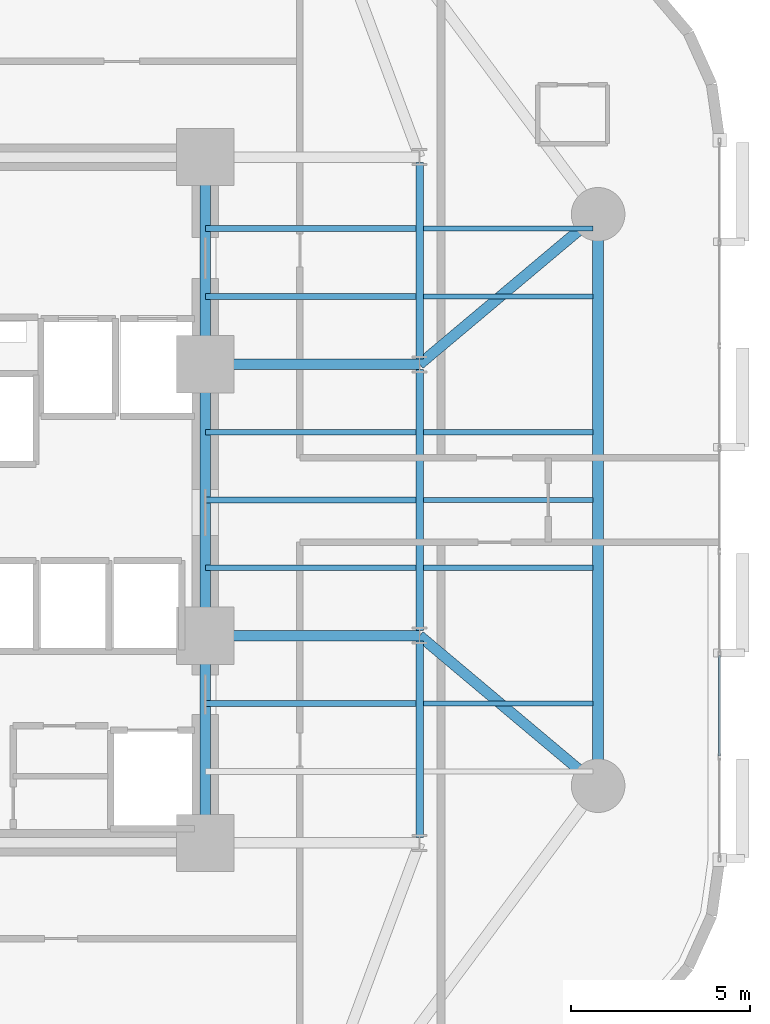
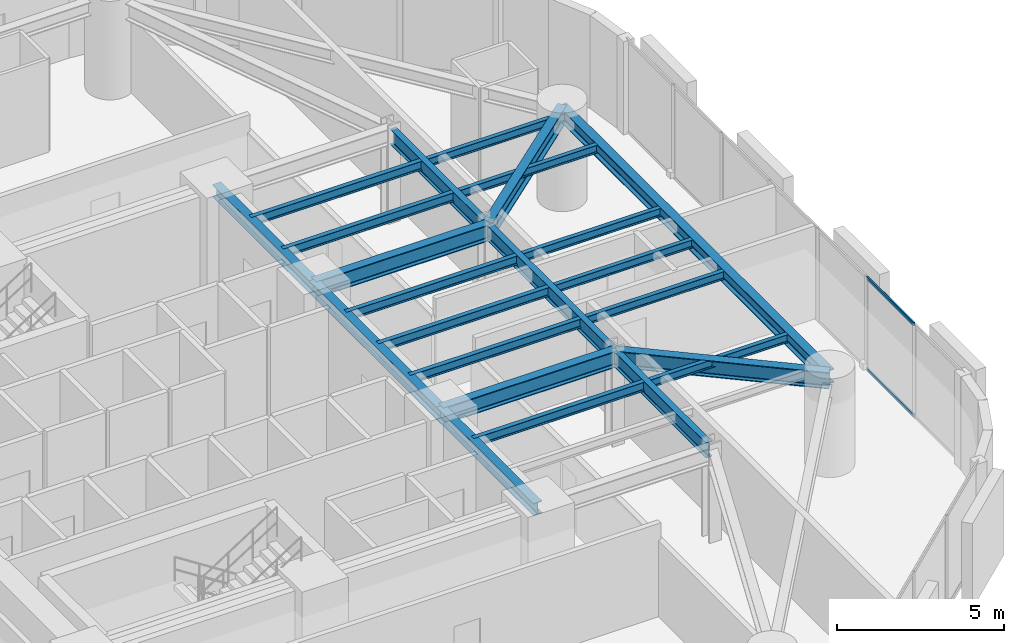
# One storey, part 5 of 17: 23 beams, 2 members, 1 element without a shape of its own.
"""IFC4 building model written with IfcOpenShell, lengths in metres."""

from ifc_helpers import new_model, si_unit, direction, frame, origin, origin_2d, place, context, subcontext, project, spatial, hollow_rectangle, i_section, extrude, material, layer, layer_set, material_profile, profile_set, type_object, element, aggregate, save


model = new_model("IFC4")

# Units and contexts
model_context = context("Model", 3, precision=1e-05, world=origin(), true_north=direction((0.0, 1.0)))
body_context = subcontext(model_context, "Body", "Model", "MODEL_VIEW")
ifc_project = project(units=[si_unit("LENGTHUNIT", "METRE"), si_unit("AREAUNIT", "SQUARE_METRE"), si_unit("VOLUMEUNIT", "CUBIC_METRE"), si_unit("PLANEANGLEUNIT", "RADIAN"), si_unit("MASSUNIT", "GRAM", prefix="KILO")], contexts=[model_context])

# Site, building, storey
site_placement = place(None, origin())
site = spatial("IfcSite", under=ifc_project, at=site_placement, CompositionType="ELEMENT")
building_placement = place(site_placement, origin())
building = spatial("IfcBuilding", under=site, at=building_placement, Name="An Khanh Terracotta Commons", CompositionType="ELEMENT")
storey_placement = place(building_placement, frame((0.0, 0.0, 32.39990234375)))
storey = spatial("IfcBuildingStorey", under=building, at=storey_placement, Name="L08", CompositionType="ELEMENT", Elevation=32.39990234375)

# Beams
ifc_material_1 = material(Name="Steel S355J2", Category="steel")
ifc_material_profile_1 = material_profile(ifc_material_1, i_section(OverallWidth=0.300048828125, OverallDepth=0.449951171875, WebThickness=0.013916015625, FlangeThickness=0.02587890625, FilletRadius=0.027099609375, at=origin_2d()), Name="HEB450")
ifc_profile_set_1 = profile_set([ifc_material_profile_1], Name="Steel S355J2")
beam_type_1 = type_object("IfcBeamType", Name="BM-HEB450", PredefinedType="BEAM", material=ifc_profile_set_1)
beam_1_placement = place(storey_placement, frame((37.199951171875, 14.39990234375, 3.175048828125), z_axis=(0.0, 1.0, 0.0), x_axis=(-1.0, 0.0, 0.0)))
element("IfcBeam", 1, at=beam_1_placement, inside=storey, type_object=beam_type_1, Name="L08 Core East Coupling Girder 1", PredefinedType="BEAM", context=body_context, shape_type="SweptSolid", body=[
    extrude(i_section(OverallWidth=0.300048828125, OverallDepth=0.449951171875, WebThickness=0.013916015625, FlangeThickness=0.02587890625, FilletRadius=0.027099609375, at=origin_2d()), origin(), (0.0, 0.0, 1.0), 5.800048828125),
])
beam_2_placement = place(storey_placement, frame((37.199951171875, 20.199951171875, 3.175048828125), z_axis=(0.0, 1.0, 0.0), x_axis=(-1.0, 0.0, 0.0)))
element("IfcBeam", 2, at=beam_2_placement, inside=storey, type_object=beam_type_1, Name="L08 Core East Coupling Girder 2", PredefinedType="BEAM", context=body_context, shape_type="SweptSolid", body=[
    extrude(i_section(OverallWidth=0.300048828125, OverallDepth=0.449951171875, WebThickness=0.013916015625, FlangeThickness=0.02587890625, FilletRadius=0.027099609375, at=origin_2d()), origin(), (0.0, 0.0, 1.0), 7.60009765625),
])
beam_3_placement = place(storey_placement, frame((37.199951171875, 27.800048828125, 3.175048828125), z_axis=(0.0, 1.0, 0.0), x_axis=(-1.0, 0.0, 0.0)))
element("IfcBeam", 3, at=beam_3_placement, inside=storey, type_object=beam_type_1, Name="L08 Core East Coupling Girder 3", PredefinedType="BEAM", context=body_context, shape_type="SweptSolid", body=[
    extrude(i_section(OverallWidth=0.300048828125, OverallDepth=0.449951171875, WebThickness=0.013916015625, FlangeThickness=0.02587890625, FilletRadius=0.027099609375, at=origin_2d()), origin(), (0.0, 0.0, 1.0), 5.800048828125),
])
ifc_material_profile_2 = material_profile(ifc_material_1, i_section(OverallWidth=0.300048828125, OverallDepth=0.5, WebThickness=0.014404296875, FlangeThickness=0.028076171875, FilletRadius=0.027099609375, at=origin_2d()), Name="HEB500")
ifc_profile_set_2 = profile_set([ifc_material_profile_2], Name="Steel S355J2")
beam_type_2 = type_object("IfcBeamType", Name="BM-HEB500", PredefinedType="BEAM", material=ifc_profile_set_2)
beam_4_placement = place(storey_placement, frame((48.199951171875, 16.0, 3.150146484375), z_axis=(0.0, 1.0, 0.0), x_axis=(-1.0, 0.0, 0.0)))
element("IfcBeam", 4, at=beam_4_placement, inside=storey, type_object=beam_type_2, Name="L08 Perimeter Ring Spandrel 3", PredefinedType="BEAM", context=body_context, shape_type="SweptSolid", body=[
    extrude(i_section(OverallWidth=0.300048828125, OverallDepth=0.5, WebThickness=0.014404296875, FlangeThickness=0.028076171875, FilletRadius=0.027099609375, at=origin_2d()), origin(), (0.0, 0.0, 1.0), 16.0),
])
ifc_material_profile_3 = material_profile(ifc_material_1, i_section(OverallWidth=0.300048828125, OverallDepth=0.60009765625, WebThickness=0.015380859375, FlangeThickness=0.030029296875, FilletRadius=0.027099609375, at=origin_2d()), Name="HEB600")
ifc_profile_set_3 = profile_set([ifc_material_profile_3], Name="Steel S355J2")
beam_type_3 = type_object("IfcBeamType", Name="BM-HEB600", PredefinedType="BEAM", material=ifc_profile_set_3)
for number, where, z_axis, x_axis, name in (
    (5, (37.199951171875, 20.199951171875, 3.10009765625), (1.0, 0.0, 0.0), (0.0, 1.0, 0.0), "L08 East Primary Floor Girder 2"),
    (6, (37.199951171875, 27.800048828125, 3.10009765625), (1.0, 0.0, 0.0), (0.0, 1.0, 0.0), "L08 East Primary Floor Girder 3"),
):
    element("IfcBeam", number, at=place(storey_placement, frame(where, z_axis=z_axis, x_axis=x_axis)), inside=storey, type_object=beam_type_3, Name=name, PredefinedType="BEAM", context=body_context, shape_type="SweptSolid", body=[
        extrude(i_section(OverallWidth=0.300048828125, OverallDepth=0.60009765625, WebThickness=0.015380859375, FlangeThickness=0.030029296875, FilletRadius=0.027099609375, at=origin_2d()), origin(), (0.0, 0.0, 1.0), 6.0),
    ])
for number, where, z_axis, x_axis, name in (
    (7, (48.199951171875, 16.0, 3.10009765625), (-0.765708547471, 0.643187702253, 0.0), (-0.643187702253, -0.765708547471, 0.0), "L08 Mega-Column Tie Girder 3"),
    (8, (48.199951171875, 32.0, 3.10009765625), (-0.765708547471, -0.643187702253, 0.0), (0.643187702253, -0.765708547471, 0.0), "L08 Mega-Column Tie Girder 4"),
):
    element("IfcBeam", number, at=place(storey_placement, frame(where, z_axis=z_axis, x_axis=x_axis)), inside=storey, type_object=beam_type_3, Name=name, PredefinedType="BEAM", context=body_context, shape_type="SweptSolid", body=[
        extrude(i_section(OverallWidth=0.300048828125, OverallDepth=0.60009765625, WebThickness=0.015380859375, FlangeThickness=0.030029296875, FilletRadius=0.027099609375, at=origin_2d()), origin(), (0.0, 0.0, 1.0), 6.52978515625),
    ])
ifc_material_profile_4 = material_profile(ifc_material_1, i_section(OverallWidth=0.14990234375, OverallDepth=0.300048828125, WebThickness=0.007080078125, FlangeThickness=0.0107421875, FilletRadius=0.014892578125, at=origin_2d()), Name="IPE300")
ifc_profile_set_4 = profile_set([ifc_material_profile_4], Name="Steel S355J2")
beam_type_4 = type_object("IfcBeamType", Name="BM-IPE300", PredefinedType="JOIST", material=ifc_profile_set_4)
for number, where, z_axis, x_axis, name in (
    (9, (43.304931640625, 18.300048828125, 3.25), (1.0, 0.0, 0.0), (0.0, 1.0, 0.0), "L08 Riverfront Composite Joist 2"),
    (10, (43.304931640625, 22.10009765625, 3.25), (1.0, 0.0, 0.0), (0.0, 1.0, 0.0), "L08 Riverfront Composite Joist 3"),
    (11, (43.304931640625, 24.0, 3.25), (1.0, 0.0, 0.0), (0.0, 1.0, 0.0), "L08 Riverfront Composite Joist 4"),
    (12, (43.304931640625, 25.89990234375, 3.25), (1.0, 0.0, 0.0), (0.0, 1.0, 0.0), "L08 Riverfront Composite Joist 5"),
    (13, (43.304931640625, 29.699951171875, 3.25), (1.0, 0.0, 0.0), (0.0, 1.0, 0.0), "L08 Riverfront Composite Joist 6"),
    (14, (43.304931640625, 31.60009765625, 3.25), (1.0, 0.0, 0.0), (0.0, 1.0, 0.0), "L08 Riverfront Composite Joist 7"),
):
    element("IfcBeam", number, at=place(storey_placement, frame(where, z_axis=z_axis, x_axis=x_axis)), inside=storey, type_object=beam_type_4, Name=name, PredefinedType="JOIST", context=body_context, shape_type="SweptSolid", body=[
        extrude(i_section(OverallWidth=0.14990234375, OverallDepth=0.300048828125, WebThickness=0.007080078125, FlangeThickness=0.0107421875, FilletRadius=0.014892578125, at=origin_2d()), origin(), (0.0, 0.0, 1.0), 4.7451171875),
    ])
ifc_material_profile_5 = material_profile(ifc_material_1, i_section(OverallWidth=0.159912109375, OverallDepth=0.330078125, WebThickness=0.007568359375, FlangeThickness=0.011474609375, FilletRadius=0.01806640625, at=origin_2d()), Name="IPE330")
ifc_profile_set_5 = profile_set([ifc_material_profile_5], Name="Steel S355J2")
beam_type_5 = type_object("IfcBeamType", Name="BM-IPE330", PredefinedType="JOIST", material=ifc_profile_set_5)
for number, where, z_axis, x_axis, name in (
    (15, (37.199951171875, 18.300048828125, 3.235107421875), (1.0, 0.0, 0.0), (0.0, 1.0, 0.0), "L08 Inboard Composite Joist 2"),
    (16, (37.199951171875, 22.10009765625, 3.235107421875), (1.0, 0.0, 0.0), (0.0, 1.0, 0.0), "L08 Inboard Composite Joist 3"),
    (17, (37.199951171875, 24.0, 3.235107421875), (1.0, 0.0, 0.0), (0.0, 1.0, 0.0), "L08 Inboard Composite Joist 4"),
    (18, (37.199951171875, 25.89990234375, 3.235107421875), (1.0, 0.0, 0.0), (0.0, 1.0, 0.0), "L08 Inboard Composite Joist 5"),
    (19, (37.199951171875, 29.699951171875, 3.235107421875), (1.0, 0.0, 0.0), (0.0, 1.0, 0.0), "L08 Inboard Composite Joist 6"),
    (20, (37.199951171875, 31.60009765625, 3.235107421875), (1.0, 0.0, 0.0), (0.0, 1.0, 0.0), "L08 Inboard Composite Joist 7"),
):
    element("IfcBeam", number, at=place(storey_placement, frame(where, z_axis=z_axis, x_axis=x_axis)), inside=storey, type_object=beam_type_5, Name=name, PredefinedType="JOIST", context=body_context, shape_type="SweptSolid", body=[
        extrude(i_section(OverallWidth=0.159912109375, OverallDepth=0.330078125, WebThickness=0.007568359375, FlangeThickness=0.011474609375, FilletRadius=0.01806640625, at=origin_2d()), origin(), (0.0, 0.0, 1.0), 5.89501953125),
    ])
ifc_material_profile_6 = material_profile(ifc_material_1, i_section(OverallWidth=0.2099609375, OverallDepth=0.550048828125, WebThickness=0.010986328125, FlangeThickness=0.01708984375, FilletRadius=0.02392578125, at=origin_2d()), Name="IPE550")
ifc_profile_set_6 = profile_set([ifc_material_profile_6], Name="Steel S355J2")
beam_type_6 = type_object("IfcBeamType", Name="BM-IPE550", PredefinedType="BEAM", material=ifc_profile_set_6)
beam_5_placement = place(storey_placement, frame((43.199951171875, 14.550048828125, 3.125), z_axis=(0.0, 1.0, 0.0), x_axis=(-1.0, 0.0, 0.0)))
element("IfcBeam", 21, at=beam_5_placement, inside=storey, type_object=beam_type_6, Name="L08 East Spine Girder 1", PredefinedType="BEAM", context=body_context, shape_type="SweptSolid", body=[
    extrude(i_section(OverallWidth=0.2099609375, OverallDepth=0.550048828125, WebThickness=0.010986328125, FlangeThickness=0.01708984375, FilletRadius=0.02392578125, at=origin_2d()), origin(), (0.0, 0.0, 1.0), 5.5),
])
beam_6_placement = place(storey_placement, frame((43.199951171875, 20.35009765625, 3.125), z_axis=(0.0, 1.0, 0.0), x_axis=(-1.0, 0.0, 0.0)))
element("IfcBeam", 22, at=beam_6_placement, inside=storey, type_object=beam_type_6, Name="L08 East Spine Girder 2", PredefinedType="BEAM", context=body_context, shape_type="SweptSolid", body=[
    extrude(i_section(OverallWidth=0.2099609375, OverallDepth=0.550048828125, WebThickness=0.010986328125, FlangeThickness=0.01708984375, FilletRadius=0.02392578125, at=origin_2d()), origin(), (0.0, 0.0, 1.0), 7.2998046875),
])
beam_7_placement = place(storey_placement, frame((43.199951171875, 27.949951171875, 3.125), z_axis=(0.0, 1.0, 0.0), x_axis=(-1.0, 0.0, 0.0)))
element("IfcBeam", 23, at=beam_7_placement, inside=storey, type_object=beam_type_6, Name="L08 East Spine Girder 3", PredefinedType="BEAM", context=body_context, shape_type="SweptSolid", body=[
    extrude(i_section(OverallWidth=0.2099609375, OverallDepth=0.550048828125, WebThickness=0.010986328125, FlangeThickness=0.01708984375, FilletRadius=0.02392578125, at=origin_2d()), origin(), (0.0, 0.0, 1.0), 5.5),
])

# Curtain wall, members
ifc_material_2 = material(Name="Anodised Aluminium 6063-T6", Category="aluminium")
ifc_layer = layer(ifc_material_2, 0.199951171875, Name="Anodised Aluminium 6063-T6")
ifc_layer_set = layer_set([ifc_layer], Name="Anodised Aluminium 6063-T6")
curtain_wall_type = type_object("IfcCurtainWallType", Name="CW-SYS-02", PredefinedType="USERDEFINED", material=ifc_layer_set)
curtain_wall_placement = place(storey_placement, origin())
curtain_wall = element("IfcCurtainWall", 24, at=curtain_wall_placement, inside=storey, type_object=curtain_wall_type, Name="L08 CW-02 Unitised Curtain Wall CW-L08-12", ObjectType="UNITISED CURTAIN WALL", PredefinedType="USERDEFINED")
ifc_material_profile_7 = material_profile(ifc_material_2, hollow_rectangle(XDim=0.06005859375, YDim=0.1201171875, WallThickness=0.003662109375, InnerFilletRadius=0.003662109375, OuterFilletRadius=0.007080078125, at=origin_2d()), Name="RHS120x60x3.6")
ifc_profile_set_7 = profile_set([ifc_material_profile_7], Name="Anodised Aluminium 6063-T6")
member_type = type_object("IfcMemberType", Name="CWT-RHS120x60x3.6", PredefinedType="USERDEFINED", material=ifc_profile_set_7)
member_1_placement = place(storey_placement, frame((51.60009765625, 16.837158203125, 0.030029296875), z_axis=(0.0, 1.0, 0.0), x_axis=(-1.0, 0.0, 0.0)))
member_1 = element("IfcMember", 25, at=member_1_placement, type_object=member_type, Name="CW-02 transom 2.1", ObjectType="TRANSOM", PredefinedType="USERDEFINED", context=body_context, shape_type="SweptSolid", body=[
    extrude(hollow_rectangle(XDim=0.06005859375, YDim=0.1201171875, WallThickness=0.003662109375, InnerFilletRadius=0.003662109375, OuterFilletRadius=0.007080078125, at=origin_2d()), origin(), (0.0, 0.0, 1.0), 2.80908203125),
])
member_2_placement = place(storey_placement, frame((51.60009765625, 16.837158203125, 3.3701171875), z_axis=(0.0, 1.0, 0.0), x_axis=(-1.0, 0.0, 0.0)))
member_2 = element("IfcMember", 26, at=member_2_placement, type_object=member_type, Name="CW-02 transom 2.2", ObjectType="TRANSOM", PredefinedType="USERDEFINED", context=body_context, shape_type="SweptSolid", body=[
    extrude(hollow_rectangle(XDim=0.06005859375, YDim=0.1201171875, WallThickness=0.003662109375, InnerFilletRadius=0.003662109375, OuterFilletRadius=0.007080078125, at=origin_2d()), origin(), (0.0, 0.0, 1.0), 2.80908203125),
])
aggregate(curtain_wall, [member_1, member_2])

save(model, "model.ifc")
